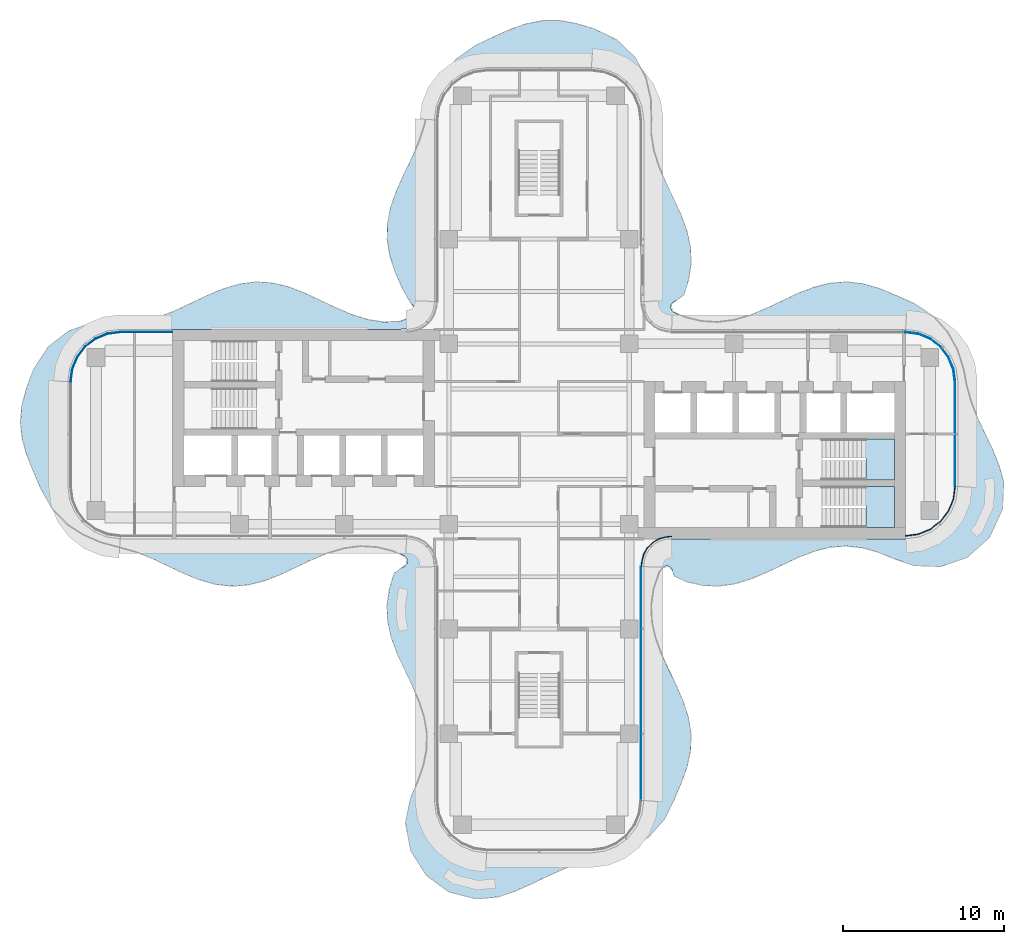
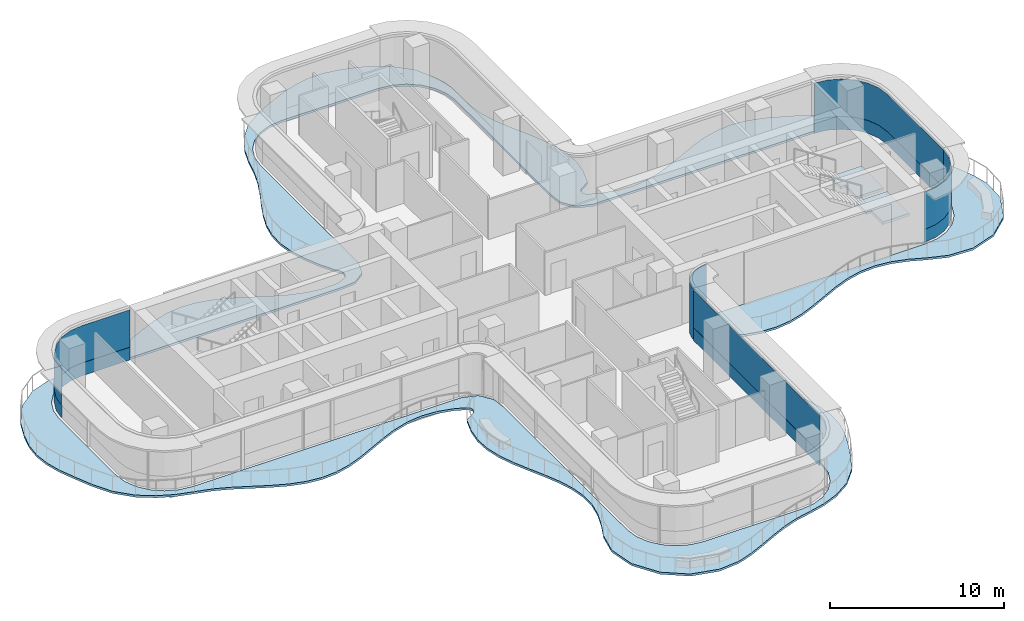
# One storey, part 11 of 19: 9 plates, 3 slabs, 7 elements without a shape of their own.
"""IFC4 building model written with IfcOpenShell, lengths in metres."""

from ifc_helpers import new_model, si_unit, direction, frame, origin, place, context, subcontext, project, spatial, polyline, outline, extrude, source, transform, mapped, material, layer, layer_set, type_object, element, aggregate, save


model = new_model("IFC4")

# Units and contexts
model_context = context("Model", 3, precision=1e-05, world=origin(), true_north=direction((0.0, 1.0)))
body_context = subcontext(model_context, "Body", "Model", "MODEL_VIEW")
ifc_project = project(units=[si_unit("LENGTHUNIT", "METRE"), si_unit("AREAUNIT", "SQUARE_METRE"), si_unit("VOLUMEUNIT", "CUBIC_METRE"), si_unit("PLANEANGLEUNIT", "RADIAN"), si_unit("MASSUNIT", "GRAM", prefix="KILO")], contexts=[model_context])

# Site, building, storey
site_placement = place(None, origin())
site = spatial("IfcSite", under=ifc_project, at=site_placement, CompositionType="ELEMENT")
building_placement = place(site_placement, origin())
building = spatial("IfcBuilding", under=site, at=building_placement, Name="Trellis Farm Tower", CompositionType="ELEMENT")
storey_placement = place(building_placement, frame((0.0, 0.0, 228.5)))
storey = spatial("IfcBuildingStorey", under=building, at=storey_placement, Name="L50", CompositionType="ELEMENT", Elevation=228.5)

# Slab
ifc_material_1 = material(Name="Concrete C40/50", Category="concrete")
ifc_layer_1 = layer(ifc_material_1, 0.14990234375)
ifc_layer_set_1 = layer_set([ifc_layer_1], Name="Balcony slab 150")
slab_type_1 = type_object("IfcSlabType", Name="Balcony slab 150", PredefinedType="FLOOR", material=ifc_layer_set_1)
slab_1_placement = place(storey_placement, frame((0.0, 0.0, -0.14990234375)))
element("IfcSlab", 1, at=slab_1_placement, inside=storey, type_object=slab_type_1, Name="Balcony slab", PredefinedType="FLOOR", context=body_context, shape_type="SweptSolid", body=[
    extrude(outline(polyline([(-19.098876953125, -9.44580078125), (-20.073974609375, -9.33544921875), (-20.097900390625, -9.330810546875), (-21.08154296875, -9.052490234375), (-21.097900390625, -9.046875), (-22.09912109375, -8.635498046875), (-22.106201171875, -8.632080078125), (-24.084228515625, -7.695068359375), (-24.0888671875, -7.693115234375), (-25.072509765625, -7.30419921875), (-25.080322265625, -7.301513671875), (-27.23095703125, -6.713134765625), (-27.25146484375, -6.705810546875), (-28.275390625, -6.2578125), (-28.296630859375, -6.24658203125), (-29.28369140625, -5.610107421875), (-29.310546875, -5.587890625), (-30.240234375, -4.619140625), (-30.26318359375, -4.58837890625), (-30.938232421875, -3.37548828125), (-30.945068359375, -3.362060546875), (-31.422119140625, -2.25439453125), (-31.423583984375, -2.251220703125), (-31.819580078125, -1.269287109375), (-31.8251953125, -1.2529296875), (-32.091796875, -0.278564453125), (-32.096435546875, -0.25439453125), (-32.19677734375, 0.71630859375), (-32.197021484375, 0.744140625), (-32.11669921875, 1.71826171875), (-32.1123046875, 1.743408203125), (-31.85400390625, 2.74560546875), (-31.84912109375, 2.760498046875), (-31.389892578125, 3.99462890625), (-31.375244140625, 4.023681640625), (-30.5009765625, 5.373779296875), (-30.467529296875, 5.410400390625), (-29.238037109375, 6.373046875), (-29.1962890625, 6.396240234375), (-27.925048828125, 6.853759765625), (-27.88916015625, 6.86181640625), (-26.702392578125, 6.98046875), (-26.683349609375, 6.981201171875), (-25.6220703125, 6.9521484375), (-25.614990234375, 6.9521484375), (-24.63818359375, 7.01904296875), (-24.6259765625, 7.02099609375), (-23.629150390625, 7.260986328125), (-23.619873046875, 7.263916015625), (-22.595458984375, 7.656494140625), (-22.590087890625, 7.65869140625), (-20.612548828125, 8.594482421875), (-20.6064453125, 8.59716796875), (-19.622802734375, 9.01025390625), (-19.607421875, 9.015869140625), (-18.60498046875, 9.31298828125), (-18.58154296875, 9.318115234375), (-17.605712890625, 9.443115234375), (-17.578125, 9.444091796875), (-16.607177734375, 9.388671875), (-16.581787109375, 9.385009765625), (-15.630615234375, 9.163818359375), (-15.612060546875, 9.158203125), (-14.61083984375, 8.783203125), (-14.599365234375, 8.7783203125), (-12.620849609375, 7.8447265625), (-12.618408203125, 7.843505859375), (-11.6337890625, 7.422607421875), (-11.62646484375, 7.419921875), (-10.593017578125, 7.10205078125), (-10.581787109375, 7.099609375), (-9.65380859375, 6.963623046875), (-9.640625, 6.962890625), (-8.678955078125, 6.99462890625), (-8.666748046875, 6.99609375), (-8.569091796875, 7.015869140625), (-8.5576171875, 7.019287109375), (-8.033447265625, 7.216552734375), (-8.018310546875, 7.22412109375), (-7.908447265625, 7.29736328125), (-7.885498046875, 7.321533203125), (-7.81884765625, 7.435302734375), (-7.81201171875, 7.45068359375), (-7.75537109375, 7.6328125), (-7.751953125, 7.650634765625), (-7.74365234375, 7.7919921875), (-7.750244140625, 7.826904296875), (-7.80908203125, 7.955810546875), (-7.818359375, 7.970947265625), (-8.039794921875, 8.252197265625), (-8.052734375, 8.271484375), (-8.52001953125, 9.105712890625), (-8.52685546875, 9.119384765625), (-8.947998046875, 10.088623046875), (-8.953125, 10.102294921875), (-9.268310546875, 11.0791015625), (-9.2734375, 11.10107421875), (-9.431884765625, 12.072265625), (-9.433837890625, 12.099365234375), (-9.413818359375, 13.07177734375), (-9.410888671875, 13.09814453125), (-9.21337890625, 14.077392578125), (-9.207763671875, 14.097900390625), (-8.858642578125, 15.0859375), (-8.853759765625, 15.097900390625), (-8.4033203125, 16.094482421875), (-8.401611328125, 16.097900390625), (-7.917236328125, 17.1015625), (-7.916015625, 17.10400390625), (-7.474609375, 18.108642578125), (-7.47216796875, 18.115234375), (-7.14306640625, 19.106689453125), (-7.141357421875, 19.112548828125), (-6.885986328125, 20.16064453125), (-6.8828125, 20.17236328125), (-6.525390625, 21.25048828125), (-6.515380859375, 21.273193359375), (-5.9677734375, 22.30908203125), (-5.94921875, 22.33642578125), (-5.14697265625, 23.275634765625), (-5.118896484375, 23.301025390625), (-3.9580078125, 24.115478515625), (-3.936279296875, 24.128173828125), (-2.753662109375, 24.689697265625), (-2.75048828125, 24.69140625), (-1.75, 25.137939453125), (-1.73779296875, 25.142822265625), (-0.774169921875, 25.474609375), (-0.753662109375, 25.480224609375), (0.21826171875, 25.6669921875), (0.244873046875, 25.669677734375), (1.21630859375, 25.679931640625), (1.24365234375, 25.677734375), (2.24609375, 25.50341796875), (2.2626953125, 25.49951171875), (3.40087890625, 25.163818359375), (3.423828125, 25.15478515625), (4.81103515625, 24.483642578125), (4.85009765625, 24.45654296875), (5.981201171875, 23.3623046875), (6.01025390625, 23.3232421875), (6.63134765625, 22.116455078125), (6.644287109375, 22.08154296875), (6.93408203125, 20.82177734375), (6.93798828125, 20.79248046875), (6.971435546875, 19.6484375), (6.9716796875, 19.642822265625), (6.96337890625, 18.63720703125), (6.964599609375, 18.624755859375), (7.131591796875, 17.5830078125), (7.13427734375, 17.57177734375), (7.451416015625, 16.591064453125), (7.4541015625, 16.584228515625), (7.882080078125, 15.599365234375), (7.88330078125, 15.5966796875), (8.361572265625, 14.60498046875), (8.36279296875, 14.602294921875), (8.819091796875, 13.60498046875), (8.823486328125, 13.593994140625), (9.18359375, 12.60498046875), (9.189208984375, 12.585205078125), (9.400634765625, 11.605224609375), (9.404052734375, 11.5791015625), (9.439208984375, 10.6064453125), (9.4375, 10.5791015625), (9.29345703125, 9.60791015625), (9.288330078125, 9.585693359375), (9.01123046875, 8.69140625), (8.988525390625, 8.646728515625), (8.9521484375, 8.597412109375), (8.916015625, 8.562744140625), (8.564208984375, 8.322998046875), (8.548095703125, 8.3134765625), (8.366943359375, 8.22119140625), (8.347900390625, 8.207275390625), (8.216064453125, 8.07421875), (8.195556640625, 8.031982421875), (8.17236328125, 7.854248046875), (8.177490234375, 7.81591796875), (8.240478515625, 7.6669921875), (8.264404296875, 7.63671875), (8.376220703125, 7.552978515625), (8.39208984375, 7.5439453125), (9.07666015625, 7.255126953125), (9.08837890625, 7.251220703125), (10.072998046875, 7.01708984375), (10.0859375, 7.01513671875), (11.06884765625, 6.956298828125), (11.08251953125, 6.956787109375), (12.07373046875, 7.080810546875), (12.085693359375, 7.08349609375), (13.119873046875, 7.388916015625), (13.127685546875, 7.3916015625), (14.11181640625, 7.805419921875), (14.11474609375, 7.806640625), (16.09326171875, 8.74267578125), (16.103515625, 8.7470703125), (17.083740234375, 9.125244140625), (17.101806640625, 9.130859375), (18.0751953125, 9.371826171875), (18.10009765625, 9.375732421875), (19.071044921875, 9.4462890625), (19.098876953125, 9.44580078125), (20.073974609375, 9.33544921875), (20.097900390625, 9.330810546875), (21.08154296875, 9.052490234375), (21.097900390625, 9.046875), (22.0986328125, 8.6357421875), (22.102294921875, 8.63427734375), (23.284912109375, 8.111572265625), (23.308349609375, 8.0986328125), (24.505615234375, 7.291015625), (24.5341796875, 7.265625), (25.377197265625, 6.305419921875), (25.39599609375, 6.278564453125), (25.977783203125, 5.218994140625), (25.989501953125, 5.1923828125), (26.33642578125, 4.10498046875), (26.3408203125, 4.088134765625), (26.553955078125, 2.9931640625), (26.55517578125, 2.98779296875), (26.829833984375, 1.983154296875), (26.832763671875, 1.974853515625), (27.22998046875, 0.99169921875), (27.231689453125, 0.98779296875), (28.173583984375, -1.0), (28.17724609375, -1.008056640625), (28.569091796875, -1.9794921875), (28.574951171875, -1.9970703125), (28.836181640625, -2.979736328125), (28.84130859375, -3.023681640625), (28.78515625, -4.5771484375), (28.78125, -4.606201171875), (28.772705078125, -4.64208984375), (28.763427734375, -4.669189453125), (28.005859375, -6.3505859375), (27.989990234375, -6.377685546875), (27.966064453125, -6.410400390625), (27.945068359375, -6.43359375), (26.601318359375, -7.632080078125), (26.577392578125, -7.649658203125), (26.544189453125, -7.6689453125), (26.517333984375, -7.681396484375), (24.941650390625, -8.22607421875), (24.91455078125, -8.232666015625), (24.879150390625, -8.23779296875), (24.8505859375, -8.2392578125), (23.3193359375, -8.173095703125), (23.27734375, -8.1650390625), (22.10791015625, -7.767333984375), (22.099609375, -7.76416015625), (21.08447265625, -7.348876953125), (21.076171875, -7.345947265625), (20.077880859375, -7.06591796875), (20.06591796875, -7.063720703125), (19.075439453125, -6.95458984375), (19.061767578125, -6.954345703125), (18.0791015625, -7.0283203125), (18.06689453125, -7.0302734375), (17.12890625, -7.260986328125), (17.1201171875, -7.263916015625), (16.095458984375, -7.656494140625), (16.090087890625, -7.65869140625), (14.112548828125, -8.594482421875), (14.1064453125, -8.59716796875), (13.12255859375, -9.010498046875), (13.107421875, -9.015869140625), (12.132080078125, -9.307373046875), (12.10888671875, -9.312255859375), (11.137939453125, -9.44189453125), (11.1103515625, -9.443115234375), (10.137451171875, -9.392822265625), (10.111572265625, -9.38916015625), (9.14501953125, -9.1669921875), (9.113037109375, -9.156005859375), (8.399169921875, -8.809814453125), (8.31640625, -8.697265625), (8.28662109375, -8.502197265625), (8.281494140625, -8.48388671875), (8.21484375, -8.32861328125), (8.187744140625, -8.29638671875), (8.05712890625, -8.2099609375), (8.016845703125, -8.19775390625), (7.860107421875, -8.197509765625), (7.81982421875, -8.209228515625), (7.679443359375, -8.301025390625), (7.6630859375, -8.315185546875), (7.464599609375, -8.55029296875), (7.456298828125, -8.562744140625), (7.396484375, -8.671630859375), (7.390625, -8.685791015625), (7.10205078125, -9.630859375), (7.099609375, -9.642333984375), (6.960205078125, -10.634033203125), (6.959716796875, -10.64794921875), (7.00341796875, -11.631591796875), (7.005126953125, -11.644287109375), (7.22265625, -12.624267578125), (7.225341796875, -12.6337890625), (7.5751953125, -13.59033203125), (7.577392578125, -13.595703125), (8.036865234375, -14.601318359375), (8.037353515625, -14.602783203125), (8.520263671875, -15.604736328125), (8.522705078125, -15.610107421875), (8.953857421875, -16.604736328125), (8.959228515625, -16.61865234375), (9.2744140625, -17.6044921875), (9.279541015625, -17.626953125), (9.43408203125, -18.60400390625), (9.43603515625, -18.63134765625), (9.410400390625, -19.602783203125), (9.407470703125, -19.62890625), (9.206787109375, -20.601318359375), (9.201416015625, -20.62109375), (8.853515625, -21.599609375), (8.85009765625, -21.6083984375), (8.404052734375, -22.651123046875), (8.400634765625, -22.65869140625), (7.780029296875, -23.91650390625), (7.75732421875, -23.9501953125), (6.815673828125, -25.00537109375), (6.785888671875, -25.031005859375), (5.69970703125, -25.7412109375), (5.67333984375, -25.7548828125), (4.635986328125, -26.170166015625), (4.61669921875, -26.176513671875), (3.556884765625, -26.440673828125), (3.552001953125, -26.44189453125), (2.522705078125, -26.662353515625), (2.514404296875, -26.664794921875), (1.5166015625, -27.005615234375), (1.51025390625, -27.00830078125), (0.50537109375, -27.4560546875), (0.50341796875, -27.45703125), (-0.4951171875, -27.939208984375), (-0.499267578125, -27.941162109375), (-1.485107421875, -28.382080078125), (-1.498046875, -28.38720703125), (-2.501220703125, -28.728515625), (-2.535400390625, -28.736083984375), (-3.8466796875, -28.85986328125), (-3.896484375, -28.856201171875), (-5.5322265625, -28.455810546875), (-5.559814453125, -28.4462890625), (-5.59423828125, -28.43017578125), (-5.619384765625, -28.415283203125), (-6.948974609375, -27.44384765625), (-6.969970703125, -27.42529296875), (-6.994873046875, -27.398681640625), (-7.011962890625, -27.37646484375), (-7.961181640625, -25.8798828125), (-7.97412109375, -25.85400390625), (-7.98779296875, -25.819091796875), (-7.99560546875, -25.79150390625), (-8.29443359375, -24.1494140625), (-8.296875, -24.120361328125), (-8.29638671875, -24.0830078125), (-8.293212890625, -24.053955078125), (-7.993896484375, -22.644775390625), (-7.98486328125, -22.61669921875), (-7.543212890625, -21.59033203125), (-7.541259765625, -21.585693359375), (-7.18798828125, -20.580810546875), (-7.185302734375, -20.570556640625), (-6.9873046875, -19.575927734375), (-6.98583984375, -19.562744140625), (-6.968505859375, -18.57666015625), (-6.969482421875, -18.56298828125), (-7.131591796875, -17.58251953125), (-7.134033203125, -17.572021484375), (-7.439453125, -16.623291015625), (-7.44189453125, -16.616455078125), (-7.87646484375, -15.612060546875), (-7.877685546875, -15.609130859375), (-8.361572265625, -14.60498046875), (-8.36279296875, -14.602294921875), (-8.813720703125, -13.61767578125), (-8.818359375, -13.606689453125), (-9.177001953125, -12.62744140625), (-9.1826171875, -12.608154296875), (-9.396728515625, -11.6357421875), (-9.400146484375, -11.609619140625), (-9.44091796875, -10.638671875), (-9.439453125, -10.611083984375), (-9.29931640625, -9.634521484375), (-9.294189453125, -9.61181640625), (-9.01123046875, -8.691650390625), (-8.988525390625, -8.646484375), (-8.9521484375, -8.597412109375), (-8.916015625, -8.562744140625), (-8.564208984375, -8.322998046875), (-8.548095703125, -8.3134765625), (-8.366943359375, -8.22119140625), (-8.347900390625, -8.207275390625), (-8.216064453125, -8.07421875), (-8.195556640625, -8.031982421875), (-8.17236328125, -7.854248046875), (-8.177490234375, -7.81591796875), (-8.240478515625, -7.6669921875), (-8.264404296875, -7.63671875), (-8.376220703125, -7.552978515625), (-8.39208984375, -7.5439453125), (-9.07666015625, -7.255126953125), (-9.08837890625, -7.251220703125), (-10.072998046875, -7.01708984375), (-10.0859375, -7.01513671875), (-11.06884765625, -6.956298828125), (-11.08251953125, -6.956787109375), (-12.07373046875, -7.080810546875), (-12.085693359375, -7.08349609375), (-13.119873046875, -7.388916015625), (-13.127685546875, -7.3916015625), (-14.11181640625, -7.805419921875), (-14.11474609375, -7.806640625), (-16.09326171875, -8.74267578125), (-16.103515625, -8.7470703125), (-17.083740234375, -9.125244140625), (-17.101806640625, -9.130859375), (-18.0751953125, -9.371826171875), (-18.10009765625, -9.375732421875), (-19.071044921875, -9.4462890625), (-19.098876953125, -9.44580078125)]), holes=[polyline([(-6.82666015625, 7.205810546875), (-6.860595703125, 7.16064453125), (-6.8935546875, 7.12841796875), (-7.575927734375, 6.64208984375), (-7.60986328125, 6.623779296875), (-7.6552734375, 6.606689453125), (-7.69287109375, 6.59765625), (-8.61767578125, 6.500732421875), (-8.62158203125, 6.50048828125), (-26.0, 6.50048828125), (-26.84130859375, 6.389892578125), (-27.625244140625, 6.065185546875), (-28.298583984375, 5.548583984375), (-28.815185546875, 4.875244140625), (-29.139892578125, 4.09130859375), (-29.25048828125, 3.25), (-29.25048828125, -3.25), (-29.139892578125, -4.09130859375), (-28.815185546875, -4.875244140625), (-28.298583984375, -5.548583984375), (-27.625244140625, -6.065185546875), (-26.84130859375, -6.389892578125), (-26.0, -6.50048828125), (-23.765869140625, -6.50048828125), (-8.16357421875, -6.507568359375), (-8.116455078125, -6.515380859375), (-7.252685546875, -6.802001953125), (-7.210693359375, -6.823974609375), (-7.16552734375, -6.857421875), (-7.133056640625, -6.890380859375), (-6.643798828125, -7.5703125), (-6.62548828125, -7.604248046875), (-6.608154296875, -7.64990234375), (-6.59912109375, -7.6875), (-6.501953125, -8.593017578125), (-6.5009765625, -8.609130859375), (-6.50048828125, -14.179931640625), (-6.50048828125, -22.75), (-6.389892578125, -23.59130859375), (-6.065185546875, -24.375244140625), (-5.548583984375, -25.048583984375), (-4.875244140625, -25.565185546875), (-4.09130859375, -25.889892578125), (-3.25, -26.00048828125), (3.25, -26.00048828125), (4.09130859375, -25.889892578125), (4.875244140625, -25.565185546875), (5.548583984375, -25.048583984375), (6.065185546875, -24.375244140625), (6.389892578125, -23.59130859375), (6.50048828125, -22.75), (6.50048828125, -8.616455078125), (6.500732421875, -8.61181640625), (6.59912109375, -7.6875), (6.608154296875, -7.64990234375), (6.62548828125, -7.604248046875), (6.643798828125, -7.5703125), (7.133056640625, -6.890380859375), (7.16552734375, -6.857421875), (7.210693359375, -6.823974609375), (7.252685546875, -6.802001953125), (8.116455078125, -6.515380859375), (8.16357421875, -6.507568359375), (20.997802734375, -6.50048828125), (22.75, -6.50048828125), (23.59130859375, -6.389892578125), (24.375244140625, -6.065185546875), (25.048583984375, -5.548583984375), (25.565185546875, -4.875244140625), (25.889892578125, -4.09130859375), (26.00048828125, -3.25), (26.00048828125, 3.25), (25.889892578125, 4.09130859375), (25.565185546875, 4.875244140625), (25.048583984375, 5.548583984375), (24.375244140625, 6.065185546875), (23.59130859375, 6.389892578125), (22.75, 6.50048828125), (20.997802734375, 6.50048828125), (8.16357421875, 6.507568359375), (8.116455078125, 6.515380859375), (7.252685546875, 6.802001953125), (7.210693359375, 6.823974609375), (7.16552734375, 6.857421875), (7.133056640625, 6.890380859375), (6.643798828125, 7.5703125), (6.62548828125, 7.604248046875), (6.608154296875, 7.64990234375), (6.59912109375, 7.6875), (6.501953125, 8.593017578125), (6.5009765625, 8.609130859375), (6.50048828125, 12.591552734375), (6.50048828125, 19.5), (6.389892578125, 20.34130859375), (6.065185546875, 21.125244140625), (5.548583984375, 21.798583984375), (4.875244140625, 22.315185546875), (4.09130859375, 22.639892578125), (3.25, 22.75048828125), (-3.25, 22.75048828125), (-4.09130859375, 22.639892578125), (-4.875244140625, 22.315185546875), (-5.548583984375, 21.798583984375), (-6.065185546875, 21.125244140625), (-6.389892578125, 20.34130859375), (-6.50048828125, 19.5), (-6.50048828125, 18.26318359375), (-6.508056640625, 8.158203125), (-6.515869140625, 8.110595703125), (-6.8046875, 7.248046875), (-6.82666015625, 7.205810546875)])]), origin(), (0.0, 0.0, 1.0), 0.14990234375),
])

# Stair, slab
ifc_material_2 = material(Name="Concrete C50/60", Category="concrete")
stair_type = type_object("IfcStairType", Name="CORE EXIT STAIR 22 RISERS 177 MM", PredefinedType="HALF_TURN_STAIR", material=ifc_material_2)
placement_1 = place(storey_placement, origin())
stair_1 = element("IfcStair", 2, at=placement_1, inside=storey, type_object=stair_type, Name="Exit stair E1", PredefinedType="HALF_TURN_STAIR")
ifc_layer_2 = layer(ifc_material_2, 0.18994140625)
ifc_layer_set_2 = layer_set([ifc_layer_2], Name="CORE STAIR LANDING 190 CONCRETE C50/60")
slab_type_2 = type_object("IfcSlabType", Name="CORE STAIR LANDING 190 CONCRETE C50/60", PredefinedType="LANDING", material=ifc_layer_set_2)
shared_shape_1 = source(origin(), body_context, "Body", "SweptSolid", [
    extrude(outline(polyline([(20.2900390625, -5.800048828125), (20.2900390625, -4.60009765625), (20.300048828125, -4.60009765625), (20.300048828125, -4.449951171875), (19.971923828125, -4.449951171875), (19.971923828125, -3.25), (20.300048828125, -3.25), (22.050048828125, -3.25), (22.050048828125, -5.800048828125), (20.300048828125, -5.800048828125), (20.2900390625, -5.800048828125)])), origin(), (0.0, 0.0, 1.0), 0.18994140625),
])
placement_2 = place(storey_placement, frame((0.0, 0.0, 1.760009765625)))
slab_2 = element("IfcSlab", 3, at=placement_2, type_object=slab_type_2, Name="STE1 landing 1", PredefinedType="LANDING", context=body_context, shape_type="MappedRepresentation", body=[
    mapped(shared_shape_1, transform((0.0, 0.0, 0.0))),
])
aggregate(stair_1, [slab_2])

stair_2 = element("IfcStair", 4, at=placement_1, inside=storey, type_object=stair_type, Name="Exit stair E2", PredefinedType="HALF_TURN_STAIR")
shared_shape_2 = source(origin(), body_context, "Body", "SweptSolid", [
    extrude(outline(polyline([(20.2900390625, -2.85009765625), (20.2900390625, -1.64990234375), (20.300048828125, -1.64990234375), (20.300048828125, -1.5), (19.971923828125, -1.5), (19.971923828125, -0.300048828125), (20.300048828125, -0.300048828125), (22.050048828125, -0.300048828125), (22.050048828125, -2.85009765625), (20.300048828125, -2.85009765625), (20.2900390625, -2.85009765625)])), origin(), (0.0, 0.0, 1.0), 0.18994140625),
])
slab_3 = element("IfcSlab", 5, at=placement_2, type_object=slab_type_2, Name="STE2 landing 1", PredefinedType="LANDING", context=body_context, shape_type="MappedRepresentation", body=[
    mapped(shared_shape_2, transform((0.0, 0.0, 0.0))),
])
aggregate(stair_2, [slab_3])

# Curtain wall, plate
ifc_material_3 = material(Name="Aluminium and glass curtain wall", Category="aluminium")
ifc_layer_3 = layer(ifc_material_3, 0.18994140625)
ifc_layer_set_3 = layer_set([ifc_layer_3], Name="RIBBON CURTAIN WALL CW1")
curtain_wall_type_1 = type_object("IfcCurtainWallType", Name="RIBBON CURTAIN WALL CW1", PredefinedType="NOTDEFINED", material=ifc_layer_set_3)
curtain_wall_1 = element("IfcCurtainWall", 6, at=placement_1, inside=storey, type_object=curtain_wall_type_1, Name="CW1 004", PredefinedType="NOTDEFINED")
ifc_material_4 = material(Name="Sandstone faced insulated panel", Category="masonry")
ifc_layer_4 = layer(ifc_material_4, 0.050048828125)
ifc_layer_set_4 = layer_set([ifc_layer_4], Name="CW1 STONE SPANDREL PANEL 50")
plate_type_1 = type_object("IfcPlateType", Name="CW1 STONE SPANDREL PANEL 50", PredefinedType="CURTAIN_PANEL", material=ifc_layer_set_4)
shared_shape_3 = source(origin(), body_context, "Body", "SweptSolid", [
    extrude(outline(polyline([(6.35009765625, -22.740234375), (6.35009765625, -8.2265625), (6.300048828125, -8.224853515625), (6.300048828125, -22.73681640625), (6.35009765625, -22.740234375)])), origin(), (0.0, 0.0, 1.0), 0.89990234375),
])
plate_1 = element("IfcPlate", 7, at=placement_1, type_object=plate_type_1, Name="PS1 004", PredefinedType="CURTAIN_PANEL", context=body_context, shape_type="MappedRepresentation", body=[
    mapped(shared_shape_3, transform((0.0, 0.0, 0.0))),
])

ifc_layer_5 = layer(ifc_material_3, 0.166015625)
ifc_layer_set_5 = layer_set([ifc_layer_5], Name="WINTER GARDEN CURTAIN WALL CW3")
curtain_wall_type_2 = type_object("IfcCurtainWallType", Name="WINTER GARDEN CURTAIN WALL CW3", PredefinedType="NOTDEFINED", material=ifc_layer_set_5)
curtain_wall_2 = element("IfcCurtainWall", 8, at=placement_1, inside=storey, type_object=curtain_wall_type_2, Name="CW3 002", PredefinedType="NOTDEFINED")
ifc_material_5 = material(Name="Clear insulated glass", Category="glass")
ifc_layer_6 = layer(ifc_material_5, 0.0458984375)
ifc_layer_set_6 = layer_set([ifc_layer_6], Name="CW3 GLASS PANEL 46")
plate_type_2 = type_object("IfcPlateType", Name="CW3 GLASS PANEL 46", PredefinedType="CURTAIN_PANEL", material=ifc_layer_set_6)
shared_shape_4 = source(origin(), body_context, "Body", "SweptSolid", [
    extrude(outline(polyline([(6.3798828125, -8.2275390625), (6.394287109375, -8.0078125), (6.40966796875, -7.89208984375), (6.52490234375, -7.462158203125), (6.7509765625, -7.070556640625), (7.070556640625, -6.7509765625), (7.462158203125, -6.52490234375), (7.89208984375, -6.40966796875), (8.0078125, -6.394287109375), (8.2275390625, -6.3798828125), (8.22607421875, -6.333984375), (8.003173828125, -6.3486328125), (7.883056640625, -6.364501953125), (7.4443359375, -6.48193359375), (7.04248046875, -6.714111328125), (6.714111328125, -7.04248046875), (6.48193359375, -7.4443359375), (6.364501953125, -7.883056640625), (6.3486328125, -8.003173828125), (6.333984375, -8.22607421875), (6.3798828125, -8.2275390625)])), origin(), (0.0, 0.0, 1.0), 3.550048828125),
])
plate_2 = element("IfcPlate", 9, at=placement_1, type_object=plate_type_2, Name="PL3 002", PredefinedType="CURTAIN_PANEL", context=body_context, shape_type="MappedRepresentation", body=[
    mapped(shared_shape_4, transform((0.0, 0.0, 0.0))),
])
aggregate(curtain_wall_2, [plate_2])

# Curtain wall, plates
curtain_wall_3 = element("IfcCurtainWall", 10, at=placement_1, inside=storey, type_object=curtain_wall_type_1, Name="CW1 012", PredefinedType="NOTDEFINED")
ifc_layer_7 = layer(ifc_material_5, 0.0400390625)
ifc_layer_set_7 = layer_set([ifc_layer_7], Name="CW1 GLASS PANEL 40")
plate_type_3 = type_object("IfcPlateType", Name="CW1 GLASS PANEL 40", PredefinedType="CURTAIN_PANEL", material=ifc_layer_set_7)
shared_shape_5 = source(origin(), body_context, "Body", "SweptSolid", [
    extrude(outline(polyline([(-22.780029296875, 6.35009765625), (-25.990234375, 6.35009765625), (-26.802001953125, 6.2431640625), (-27.54931640625, 5.93359375), (-28.191162109375, 5.441162109375), (-28.68359375, 4.79931640625), (-28.9931640625, 4.052001953125), (-29.10009765625, 3.240234375), (-29.06005859375, 3.237548828125), (-28.9541015625, 4.04150390625), (-28.648681640625, 4.779296875), (-28.16259765625, 5.41259765625), (-27.529296875, 5.898681640625), (-26.79150390625, 6.2041015625), (-25.987548828125, 6.31005859375), (-22.780029296875, 6.31005859375), (-22.780029296875, 6.35009765625)])), origin(), (0.0, 0.0, 1.0), 2.6201171875),
])
placement_3 = place(storey_placement, frame((0.0, 0.0, 0.89990234375)))
plate_3 = element("IfcPlate", 11, at=placement_3, type_object=plate_type_3, Name="PL1 012", PredefinedType="CURTAIN_PANEL", context=body_context, shape_type="MappedRepresentation", body=[
    mapped(shared_shape_5, transform((0.0, 0.0, 0.0))),
])
shared_shape_6 = source(origin(), body_context, "Body", "SweptSolid", [
    extrude(outline(polyline([(-22.780029296875, 6.35009765625), (-25.990234375, 6.35009765625), (-26.802001953125, 6.2431640625), (-27.54931640625, 5.93359375), (-28.191162109375, 5.441162109375), (-28.68359375, 4.79931640625), (-28.9931640625, 4.052001953125), (-29.10009765625, 3.240234375), (-29.050048828125, 3.23681640625), (-28.9443359375, 4.0390625), (-28.639892578125, 4.774169921875), (-28.155517578125, 5.405517578125), (-27.524169921875, 5.889892578125), (-26.7890625, 6.1943359375), (-25.98681640625, 6.300048828125), (-22.780029296875, 6.300048828125), (-22.780029296875, 6.35009765625)])), origin(), (0.0, 0.0, 1.0), 0.89990234375),
])
plate_4 = element("IfcPlate", 12, at=placement_1, type_object=plate_type_1, Name="PS1 012", PredefinedType="CURTAIN_PANEL", context=body_context, shape_type="MappedRepresentation", body=[
    mapped(shared_shape_6, transform((0.0, 0.0, 0.0))),
])
aggregate(curtain_wall_3, [plate_3, plate_4])

# Plate
shared_shape_7 = source(origin(), body_context, "Body", "SweptSolid", [
    extrude(outline(polyline([(6.35009765625, -22.740234375), (6.35009765625, -8.2265625), (6.31005859375, -8.22509765625), (6.31005859375, -22.737548828125), (6.35009765625, -22.740234375)])), origin(), (0.0, 0.0, 1.0), 2.6201171875),
])
plate_5 = element("IfcPlate", 13, at=placement_3, type_object=plate_type_3, Name="PL1 004", PredefinedType="CURTAIN_PANEL", context=body_context, shape_type="MappedRepresentation", body=[
    mapped(shared_shape_7, transform((0.0, 0.0, 0.0))),
])

aggregate(curtain_wall_1, [plate_5, plate_1])

# Curtain wall, plates
curtain_wall_4 = element("IfcCurtainWall", 14, at=placement_1, inside=storey, type_object=curtain_wall_type_1, Name="CW1 005", PredefinedType="NOTDEFINED")
shared_shape_8 = source(origin(), body_context, "Body", "SweptSolid", [
    extrude(outline(polyline([(22.740234375, -6.35009765625), (23.552001953125, -6.2431640625), (24.29931640625, -5.93359375), (24.941162109375, -5.441162109375), (25.43359375, -4.79931640625), (25.7431640625, -4.052001953125), (25.85009765625, -3.240234375), (25.81005859375, -3.237548828125), (25.7041015625, -4.04150390625), (25.398681640625, -4.779296875), (24.91259765625, -5.41259765625), (24.279296875, -5.898681640625), (23.54150390625, -6.2041015625), (22.737548828125, -6.31005859375), (22.740234375, -6.35009765625)])), origin(), (0.0, 0.0, 1.0), 2.6201171875),
])
plate_6 = element("IfcPlate", 15, at=placement_3, type_object=plate_type_3, Name="PL1 005", PredefinedType="CURTAIN_PANEL", context=body_context, shape_type="MappedRepresentation", body=[
    mapped(shared_shape_8, transform((0.0, 0.0, 0.0))),
])
shared_shape_9 = source(origin(), body_context, "Body", "SweptSolid", [
    extrude(outline(polyline([(22.740234375, -6.35009765625), (23.552001953125, -6.2431640625), (24.29931640625, -5.93359375), (24.941162109375, -5.441162109375), (25.43359375, -4.79931640625), (25.7431640625, -4.052001953125), (25.85009765625, -3.240234375), (25.800048828125, -3.23681640625), (25.6943359375, -4.0390625), (25.389892578125, -4.774169921875), (24.905517578125, -5.405517578125), (24.274169921875, -5.889892578125), (23.5390625, -6.1943359375), (22.73681640625, -6.300048828125), (22.740234375, -6.35009765625)])), origin(), (0.0, 0.0, 1.0), 0.89990234375),
])
plate_7 = element("IfcPlate", 16, at=placement_1, type_object=plate_type_1, Name="PS1 005", PredefinedType="CURTAIN_PANEL", context=body_context, shape_type="MappedRepresentation", body=[
    mapped(shared_shape_9, transform((0.0, 0.0, 0.0))),
])
aggregate(curtain_wall_4, [plate_6, plate_7])

curtain_wall_5 = element("IfcCurtainWall", 17, at=placement_1, inside=storey, type_object=curtain_wall_type_1, Name="CW1 006", PredefinedType="NOTDEFINED")
shared_shape_10 = source(origin(), body_context, "Body", "SweptSolid", [
    extrude(outline(polyline([(25.85009765625, -3.240234375), (25.85009765625, 3.240234375), (25.7431640625, 4.052001953125), (25.43359375, 4.79931640625), (24.941162109375, 5.441162109375), (24.29931640625, 5.93359375), (23.552001953125, 6.2431640625), (22.740234375, 6.35009765625), (22.737548828125, 6.31005859375), (23.54150390625, 6.2041015625), (24.279296875, 5.898681640625), (24.91259765625, 5.41259765625), (25.398681640625, 4.779296875), (25.7041015625, 4.04150390625), (25.81005859375, 3.237548828125), (25.81005859375, -3.237548828125), (25.85009765625, -3.240234375)])), origin(), (0.0, 0.0, 1.0), 2.6201171875),
])
plate_8 = element("IfcPlate", 18, at=placement_3, type_object=plate_type_3, Name="PL1 006", PredefinedType="CURTAIN_PANEL", context=body_context, shape_type="MappedRepresentation", body=[
    mapped(shared_shape_10, transform((0.0, 0.0, 0.0))),
])
shared_shape_11 = source(origin(), body_context, "Body", "SweptSolid", [
    extrude(outline(polyline([(25.85009765625, -3.240234375), (25.85009765625, 3.240234375), (25.7431640625, 4.052001953125), (25.43359375, 4.79931640625), (24.941162109375, 5.441162109375), (24.29931640625, 5.93359375), (23.552001953125, 6.2431640625), (22.740234375, 6.35009765625), (22.73681640625, 6.300048828125), (23.5390625, 6.1943359375), (24.274169921875, 5.889892578125), (24.905517578125, 5.405517578125), (25.389892578125, 4.774169921875), (25.6943359375, 4.0390625), (25.800048828125, 3.23681640625), (25.800048828125, -3.23681640625), (25.85009765625, -3.240234375)])), origin(), (0.0, 0.0, 1.0), 0.89990234375),
])
plate_9 = element("IfcPlate", 19, at=placement_1, type_object=plate_type_1, Name="PS1 006", PredefinedType="CURTAIN_PANEL", context=body_context, shape_type="MappedRepresentation", body=[
    mapped(shared_shape_11, transform((0.0, 0.0, 0.0))),
])
aggregate(curtain_wall_5, [plate_8, plate_9])

save(model, "model.ifc")
